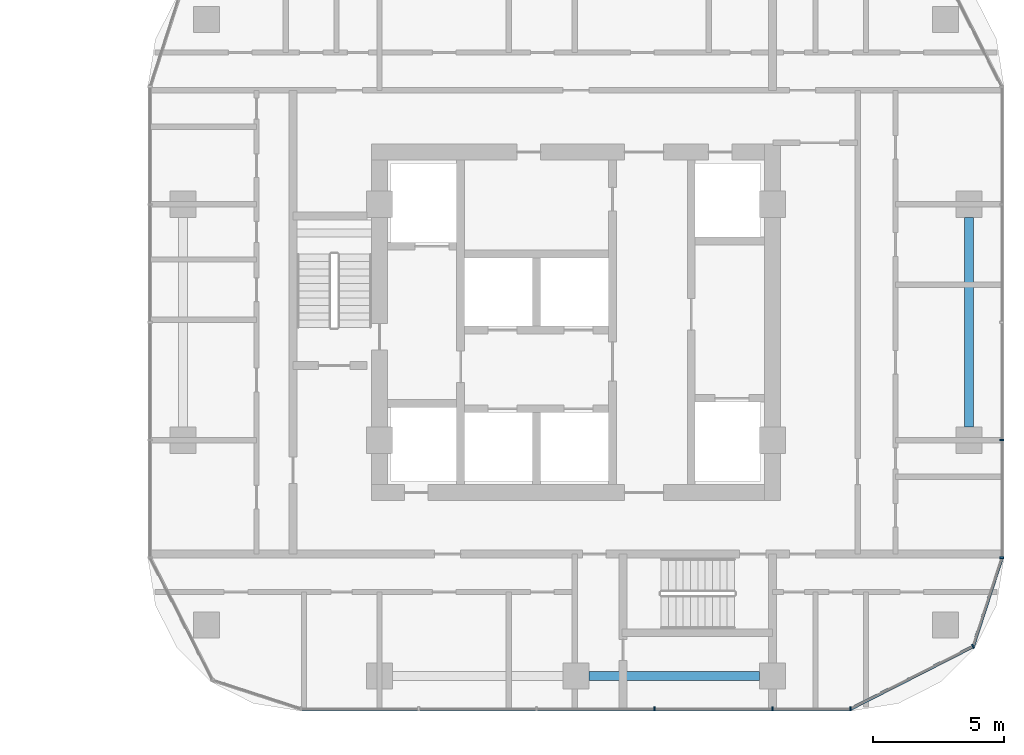
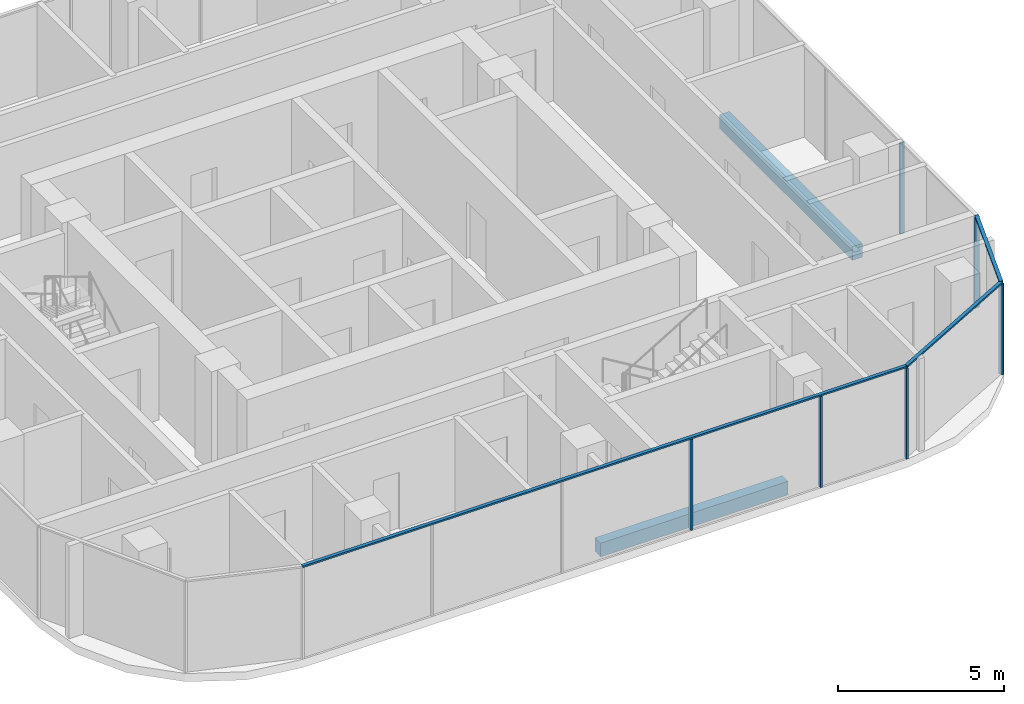
# One storey, part 11 of 36: 9 members, 2 beams, 3 elements without a shape of their own.
"""IFC4 building model written with IfcOpenShell, lengths in metres."""

from ifc_helpers import new_model, si_unit, direction, frame, origin, origin_2d, place, context, subcontext, project, spatial, rectangle, extrude, material, material_profile, profile_set, type_object, element, aggregate, save


model = new_model("IFC4")

# Units and contexts
model_context = context("Model", 3, precision=1e-05, world=origin(), true_north=direction((0.0, 1.0)))
body_context = subcontext(model_context, "Body", "Model", "MODEL_VIEW")
ifc_project = project(units=[si_unit("LENGTHUNIT", "METRE"), si_unit("AREAUNIT", "SQUARE_METRE"), si_unit("VOLUMEUNIT", "CUBIC_METRE"), si_unit("PLANEANGLEUNIT", "RADIAN"), si_unit("MASSUNIT", "GRAM", prefix="KILO")], contexts=[model_context])

# Site, building, storey
site_placement = place(None, origin())
site = spatial("IfcSite", under=ifc_project, at=site_placement, CompositionType="ELEMENT")
building_placement = place(site_placement, origin())
building = spatial("IfcBuilding", under=site, at=building_placement, Name="Ogive Portal Towers", CompositionType="ELEMENT")
storey_placement = place(building_placement, frame((0.0, 0.0, 48.300048828125)))
storey = spatial("IfcBuildingStorey", under=building, at=storey_placement, Name="L10", CompositionType="ELEMENT", Elevation=48.300048828125)

# Curtain wall, members
ifc_material_1 = material(Name="Glass, clear low-iron insulated glazing", Category="glass")
curtain_wall_type = type_object("IfcCurtainWallType", Name="CW RESIDENCES RIBBON", PredefinedType="NOTDEFINED", material=ifc_material_1)
curtain_wall_1_placement = place(storey_placement, origin())
curtain_wall_1 = element("IfcCurtainWall", 1, at=curtain_wall_1_placement, inside=storey, type_object=curtain_wall_type, Name="B:L10:f02:cw0", PredefinedType="NOTDEFINED")
ifc_material_2 = material(Name="Aluminium 6063 anodised", Category="aluminium")
ifc_material_profile_1 = material_profile(ifc_material_2, rectangle(XDim=0.159912109375, YDim=0.06005859375, at=origin_2d()), Name="AL 60x160")
ifc_profile_set_1 = profile_set([ifc_material_profile_1], Name="Aluminium 6063 anodised")
member_type_1 = type_object("IfcMemberType", Name="CW MULLION 60x160", PredefinedType="MULLION", material=ifc_profile_set_1)
member_1_placement = place(storey_placement, frame((139.5, 16.2451171875, 0.0), z_axis=(0.0, 0.0, 1.0), x_axis=(0.0, 1.0, 0.0)))
member_1 = element("IfcMember", 2, at=member_1_placement, type_object=member_type_1, Name="mullion", PredefinedType="MULLION", context=body_context, shape_type="SweptSolid", body=[
    extrude(rectangle(XDim=0.159912109375, YDim=0.06005859375, at=origin_2d()), origin(), (0.0, 0.0, 1.0), 3.33984375),
])
member_2_placement = place(storey_placement, frame((144.0, 16.2451171875, 0.0), z_axis=(0.0, 0.0, 1.0), x_axis=(0.0, 1.0, 0.0)))
member_2 = element("IfcMember", 3, at=member_2_placement, type_object=member_type_1, Name="mullion", PredefinedType="MULLION", context=body_context, shape_type="SweptSolid", body=[
    extrude(rectangle(XDim=0.159912109375, YDim=0.06005859375, at=origin_2d()), origin(), (0.0, 0.0, 1.0), 3.33984375),
])
member_3_placement = place(storey_placement, frame((146.980712890625, 16.2451171875, 0.0), z_axis=(0.0, 0.0, 1.0), x_axis=(0.0, 1.0, 0.0)))
member_3 = element("IfcMember", 4, at=member_3_placement, type_object=member_type_1, Name="mullion", PredefinedType="MULLION", context=body_context, shape_type="SweptSolid", body=[
    extrude(rectangle(XDim=0.159912109375, YDim=0.06005859375, at=origin_2d()), origin(), (0.0, 0.0, 1.0), 3.33984375),
])

curtain_wall_2_placement = place(storey_placement, origin())
curtain_wall_2 = element("IfcCurtainWall", 5, at=curtain_wall_2_placement, inside=storey, type_object=curtain_wall_type, Name="B:L10:f05:cw0", PredefinedType="NOTDEFINED")
member_4_placement = place(storey_placement, frame((152.7548828125, 22.0126953125, 0.0), z_axis=(0.0, 0.0, 1.0), x_axis=(-1.0, 0.0, 0.0)))
member_4 = element("IfcMember", 6, at=member_4_placement, type_object=member_type_1, Name="mullion", PredefinedType="MULLION", context=body_context, shape_type="SweptSolid", body=[
    extrude(rectangle(XDim=0.159912109375, YDim=0.06005859375, at=origin_2d()), origin(), (0.0, 0.0, 1.0), 3.33984375),
])
member_5_placement = place(storey_placement, frame((152.7548828125, 26.5, 0.0), z_axis=(0.0, 0.0, 1.0), x_axis=(-1.0, 0.0, 0.0)))
member_5 = element("IfcMember", 7, at=member_5_placement, type_object=member_type_1, Name="mullion", PredefinedType="MULLION", context=body_context, shape_type="SweptSolid", body=[
    extrude(rectangle(XDim=0.159912109375, YDim=0.06005859375, at=origin_2d()), origin(), (0.0, 0.0, 1.0), 3.33984375),
])
aggregate(curtain_wall_2, [member_4, member_5])

# Curtain wall, member
curtain_wall_3_placement = place(storey_placement, origin())
curtain_wall_3 = element("IfcCurtainWall", 8, at=curtain_wall_3_placement, inside=storey, type_object=curtain_wall_type, Name="B:L10:f03:cwa", PredefinedType="NOTDEFINED")
member_6_placement = place(storey_placement, frame((151.65478515625, 18.62646484375, 0.0), z_axis=(0.0, 0.0, 1.0), x_axis=(-0.45399049974, 0.891006524188, 0.0)))
member_6 = element("IfcMember", 9, at=member_6_placement, type_object=member_type_1, Name="mullion", PredefinedType="MULLION", context=body_context, shape_type="SweptSolid", body=[
    extrude(rectangle(XDim=0.159912109375, YDim=0.06005859375, at=origin_2d()), origin(), (0.0, 0.0, 1.0), 3.33984375),
])

# Member
ifc_material_profile_2 = material_profile(ifc_material_2, rectangle(XDim=0.1201171875, YDim=0.06005859375, at=origin_2d()), Name="AL 120x60")
ifc_profile_set_2 = profile_set([ifc_material_profile_2], Name="Aluminium 6063 anodised")
member_type_2 = type_object("IfcMemberType", Name="CW TRANSOM 60x120", PredefinedType="USERDEFINED", material=ifc_profile_set_2)
member_7_placement = place(storey_placement, frame((126.0126953125, 16.2451171875, 3.369873046875), z_axis=(1.0, 0.0, 0.0), x_axis=(0.0, 1.0, 0.0)))
member_7 = element("IfcMember", 10, at=member_7_placement, type_object=member_type_2, Name="transom", ObjectType="TRANSOM", PredefinedType="USERDEFINED", context=body_context, shape_type="SweptSolid", body=[
    extrude(rectangle(XDim=0.1201171875, YDim=0.06005859375, at=origin_2d()), origin(), (0.0, 0.0, 1.0), 20.968017578125),
])

aggregate(curtain_wall_1, [member_7, member_1, member_2, member_3])

member_8_placement = place(storey_placement, frame((146.980712890625, 16.2451171875, 3.369873046875), z_axis=(0.891022803147, 0.453958549068, 0.0), x_axis=(-0.453958549068, 0.891022803147, 0.0)))
member_8 = element("IfcMember", 11, at=member_8_placement, type_object=member_type_2, Name="transom", ObjectType="TRANSOM", PredefinedType="USERDEFINED", context=body_context, shape_type="SweptSolid", body=[
    extrude(rectangle(XDim=0.1201171875, YDim=0.06005859375, at=origin_2d()), origin(), (0.0, 0.0, 1.0), 5.245849609375),
])

member_9_placement = place(storey_placement, frame((151.65478515625, 18.62646484375, 3.369873046875), z_axis=(0.308977536298, 0.951069336097, 0.0), x_axis=(-0.951069336097, 0.308977536298, 0.0)))
member_9 = element("IfcMember", 12, at=member_9_placement, type_object=member_type_2, Name="transom", ObjectType="TRANSOM", PredefinedType="USERDEFINED", context=body_context, shape_type="SweptSolid", body=[
    extrude(rectangle(XDim=0.1201171875, YDim=0.06005859375, at=origin_2d()), origin(), (0.0, 0.0, 1.0), 3.560546875),
])

aggregate(curtain_wall_3, [member_8, member_9, member_6])

# Beams
ifc_material_3 = material(Name="Concrete C50/60", Category="concrete")
ifc_material_profile_3 = material_profile(ifc_material_3, rectangle(XDim=0.35009765625, YDim=0.5, at=origin_2d()), Name="RC 350x500")
ifc_profile_set_3 = profile_set([ifc_material_profile_3], Name="Concrete C50/60")
beam_type = type_object("IfcBeamType", Name="SPANDREL BEAM RC 350x500", PredefinedType="BEAM", material=ifc_profile_set_3)
beam_1_placement = place(storey_placement, frame((137.0, 17.5, -0.550048828125), z_axis=(1.0, 0.0, 0.0), x_axis=(0.0, 1.0, 0.0)))
element("IfcBeam", 13, at=beam_1_placement, inside=storey, type_object=beam_type, Name="Spandrel beam L10", PredefinedType="BEAM", context=body_context, shape_type="SweptSolid", body=[
    extrude(rectangle(XDim=0.35009765625, YDim=0.5, at=origin_2d()), origin(), (0.0, 0.0, 1.0), 6.5),
])
beam_2_placement = place(storey_placement, frame((151.5, 27.0, -0.550048828125), z_axis=(0.0, 1.0, 0.0), x_axis=(-1.0, 0.0, 0.0)))
element("IfcBeam", 14, at=beam_2_placement, inside=storey, type_object=beam_type, Name="Spandrel beam L10", PredefinedType="BEAM", context=body_context, shape_type="SweptSolid", body=[
    extrude(rectangle(XDim=0.35009765625, YDim=0.5, at=origin_2d()), origin(), (0.0, 0.0, 1.0), 8.0),
])

save(model, "model.ifc")
